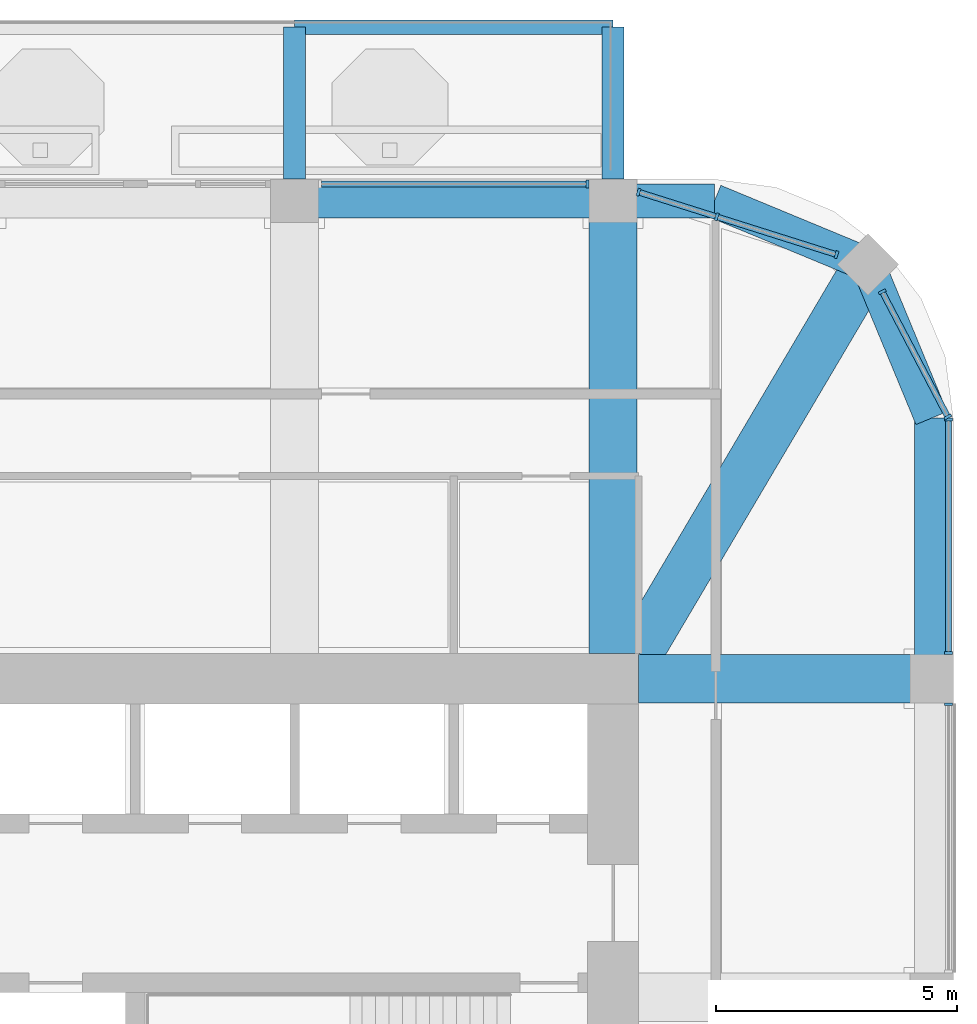
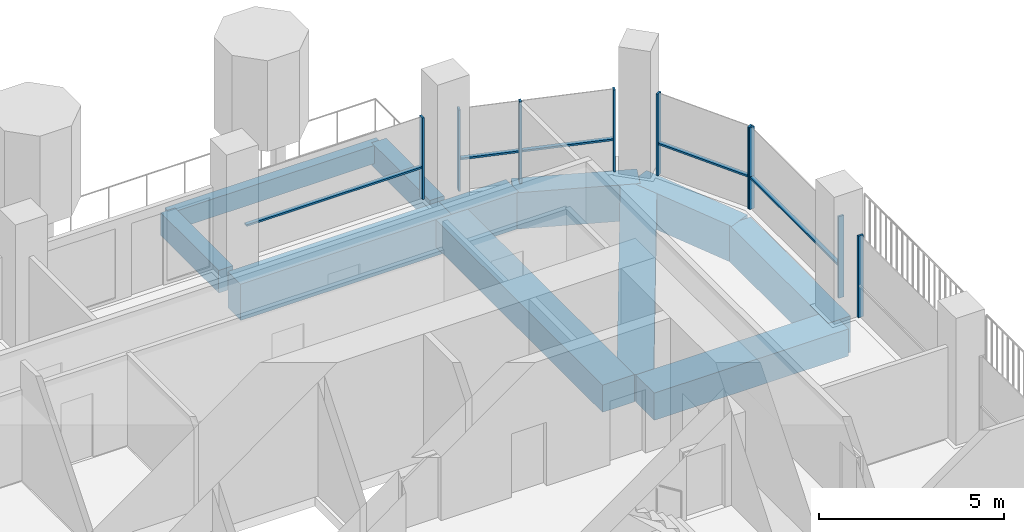
# One storey, part 7 of 21: 14 members, 11 beams, 5 elements without a shape of their own.
"""IFC4 building model written with IfcOpenShell, lengths in metres."""

from ifc_helpers import new_model, si_unit, direction, frame, origin, origin_2d, place, context, subcontext, project, spatial, rectangle, extrude, material, material_profile, profile_set, type_object, element, aggregate, save


model = new_model("IFC4")

# Units and contexts
model_context = context("Model", 3, precision=1e-05, world=origin(), true_north=direction((0.0, 1.0)))
body_context = subcontext(model_context, "Body", "Model", "MODEL_VIEW")
ifc_project = project(units=[si_unit("LENGTHUNIT", "METRE"), si_unit("AREAUNIT", "SQUARE_METRE"), si_unit("VOLUMEUNIT", "CUBIC_METRE"), si_unit("PLANEANGLEUNIT", "RADIAN"), si_unit("MASSUNIT", "GRAM", prefix="KILO")], contexts=[model_context])

# Site, building, storey
site_placement = place(None, origin())
site = spatial("IfcSite", under=ifc_project, at=site_placement, CompositionType="ELEMENT")
building_placement = place(site_placement, origin())
building = spatial("IfcBuilding", under=site, at=building_placement, Name="Cobogo Forest Laboratory Tower", CompositionType="ELEMENT")
storey_placement = place(building_placement, frame((0.0, 0.0, 267.0)))
storey = spatial("IfcBuildingStorey", under=building, at=storey_placement, Name="L61", CompositionType="ELEMENT", Elevation=267.0)

# Beams
ifc_material_1 = material(Name="Concrete HA-40 (C40/50)", Category="concrete")
ifc_material_profile_1 = material_profile(ifc_material_1, rectangle(XDim=0.449951171875, YDim=0.75, at=origin_2d()), Name="RC 450x750")
ifc_profile_set_1 = profile_set([ifc_material_profile_1], Name="Concrete HA-40 (C40/50)")
beam_type_1 = type_object("IfcBeamType", Name="Balcony cantilever beam 450x750", PredefinedType="BEAM", material=ifc_profile_set_1)
for number, where, z_axis, x_axis, name in (
    (1, (33.0, 43.35009765625, -0.625), (0.0, 1.0, 0.0), (-1.0, 0.0, 0.0), "CB1 BAL-N1-C2 L61"),
    (2, (39.60009765625, 43.35009765625, -0.625), (0.0, 1.0, 0.0), (-1.0, 0.0, 0.0), "CB1 BAL-N1-C3 L61"),
):
    element("IfcBeam", number, at=place(storey_placement, frame(where, z_axis=z_axis, x_axis=x_axis)), inside=storey, type_object=beam_type_1, Name=name, PredefinedType="BEAM", context=body_context, shape_type="SweptSolid", body=[
        extrude(rectangle(XDim=0.449951171875, YDim=0.75, at=origin_2d()), origin(), (0.0, 0.0, 1.0), 3.14990234375),
    ])
ifc_material_profile_2 = material_profile(ifc_material_1, rectangle(XDim=0.300048828125, YDim=0.60009765625, at=origin_2d()), Name="RC 300x600")
ifc_profile_set_2 = profile_set([ifc_material_profile_2], Name="Concrete HA-40 (C40/50)")
beam_type_2 = type_object("IfcBeamType", Name="Balcony edge beam 300x600", PredefinedType="BEAM", material=ifc_profile_set_2)
beam_1_placement = place(storey_placement, frame((33.0, 46.5, -0.550048828125), z_axis=(1.0, 0.0, 0.0), x_axis=(0.0, 1.0, 0.0)))
element("IfcBeam", 3, at=beam_1_placement, inside=storey, type_object=beam_type_2, Name="BB1 BAL-N1-T2 L61", PredefinedType="BEAM", context=body_context, shape_type="SweptSolid", body=[
    extrude(rectangle(XDim=0.300048828125, YDim=0.60009765625, at=origin_2d()), origin(), (0.0, 0.0, 1.0), 6.60009765625),
])

# Curtain wall, member
ifc_material_2 = material(Name="Aluminium curtain wall", Category="aluminium")
curtain_wall_type = type_object("IfcCurtainWallType", Name="CW-2 unitised curtain wall, solar control glazing, laboratory floors zones C and D", PredefinedType="USERDEFINED", material=ifc_material_2)
curtain_wall_1_placement = place(storey_placement, origin())
curtain_wall_1 = element("IfcCurtainWall", 4, at=curtain_wall_1_placement, inside=storey, type_object=curtain_wall_type, Name="Curtain wall 10 L61", ObjectType="UNITISED CURTAIN WALL", PredefinedType="USERDEFINED")
ifc_material_3 = material(Name="Aluminium mullion", Category="aluminium")
ifc_material_profile_3 = material_profile(ifc_material_3, rectangle(XDim=0.06005859375, YDim=0.159912109375, at=origin_2d()), Name="AL 60x160")
ifc_profile_set_3 = profile_set([ifc_material_profile_3], Name="Aluminium mullion")
member_type_1 = type_object("IfcMemberType", Name="MU-1 aluminium mullion 60x160", PredefinedType="MULLION", material=ifc_profile_set_3)
member_1_placement = place(storey_placement, frame((46.550048828125, 32.469970703125, 0.0), z_axis=(0.0, 0.0, 1.0), x_axis=(0.0, 1.0, 0.0)))
member_1 = element("IfcMember", 5, at=member_1_placement, type_object=member_type_1, Name="CW-2 mullion 2", PredefinedType="MULLION", context=body_context, shape_type="SweptSolid", body=[
    extrude(rectangle(XDim=0.06005859375, YDim=0.159912109375, at=origin_2d()), origin(), (0.0, 0.0, 1.0), 2.699951171875),
])
aggregate(curtain_wall_1, [member_1])

# Curtain wall, members
curtain_wall_2_placement = place(storey_placement, origin())
curtain_wall_2 = element("IfcCurtainWall", 6, at=curtain_wall_2_placement, inside=storey, type_object=curtain_wall_type, Name="Curtain wall 11 L61", ObjectType="UNITISED CURTAIN WALL", PredefinedType="USERDEFINED")
member_2_placement = place(storey_placement, frame((46.550048828125, 33.530029296875, 0.0), z_axis=(0.0, 0.0, 1.0), x_axis=(0.0, 1.0, 0.0)))
member_2 = element("IfcMember", 7, at=member_2_placement, type_object=member_type_1, Name="CW-2 mullion 1", PredefinedType="MULLION", context=body_context, shape_type="SweptSolid", body=[
    extrude(rectangle(XDim=0.06005859375, YDim=0.159912109375, at=origin_2d()), origin(), (0.0, 0.0, 1.0), 2.699951171875),
])
member_3_placement = place(storey_placement, frame((46.550048828125, 38.3701171875, 0.0), z_axis=(0.0, 0.0, 1.0), x_axis=(0.0, 1.0, 0.0)))
member_3 = element("IfcMember", 8, at=member_3_placement, type_object=member_type_1, Name="CW-2 mullion 2", PredefinedType="MULLION", context=body_context, shape_type="SweptSolid", body=[
    extrude(rectangle(XDim=0.06005859375, YDim=0.159912109375, at=origin_2d()), origin(), (0.0, 0.0, 1.0), 2.699951171875),
])

curtain_wall_3_placement = place(storey_placement, origin())
curtain_wall_3 = element("IfcCurtainWall", 9, at=curtain_wall_3_placement, inside=storey, type_object=curtain_wall_type, Name="Curtain wall 12 L61", ObjectType="UNITISED CURTAIN WALL", PredefinedType="USERDEFINED")
member_4_placement = place(storey_placement, frame((46.5361328125, 38.426513671875, 0.0), z_axis=(0.0, 0.0, 1.0), x_axis=(-0.464283778337, 0.885686498245, 0.0)))
member_4 = element("IfcMember", 10, at=member_4_placement, type_object=member_type_1, Name="CW-2 mullion 1", PredefinedType="MULLION", context=body_context, shape_type="SweptSolid", body=[
    extrude(rectangle(XDim=0.06005859375, YDim=0.159912109375, at=origin_2d()), origin(), (0.0, 0.0, 1.0), 2.699951171875),
])
member_5_placement = place(storey_placement, frame((45.177978515625, 41.017333984375, 0.0), z_axis=(0.0, 0.0, 1.0), x_axis=(-0.464283778337, 0.885686498245, 0.0)))
member_5 = element("IfcMember", 11, at=member_5_placement, type_object=member_type_1, Name="CW-2 mullion 2", PredefinedType="MULLION", context=body_context, shape_type="SweptSolid", body=[
    extrude(rectangle(XDim=0.06005859375, YDim=0.159912109375, at=origin_2d()), origin(), (0.0, 0.0, 1.0), 2.699951171875),
])

curtain_wall_4_placement = place(storey_placement, origin())
curtain_wall_4 = element("IfcCurtainWall", 12, at=curtain_wall_4_placement, inside=storey, type_object=curtain_wall_type, Name="Curtain wall 13 L61", ObjectType="UNITISED CURTAIN WALL", PredefinedType="USERDEFINED")
member_6_placement = place(storey_placement, frame((44.22998046875, 41.787841796875, 0.0), z_axis=(0.0, 0.0, 1.0), x_axis=(-0.953581379409, 0.301135439371, 0.0)))
member_6 = element("IfcMember", 13, at=member_6_placement, type_object=member_type_1, Name="CW-2 mullion 1", PredefinedType="MULLION", context=body_context, shape_type="SweptSolid", body=[
    extrude(rectangle(XDim=0.06005859375, YDim=0.159912109375, at=origin_2d()), origin(), (0.0, 0.0, 1.0), 2.699951171875),
])
member_7_placement = place(storey_placement, frame((41.7490234375, 42.5712890625, 0.0), z_axis=(0.0, 0.0, 1.0), x_axis=(-0.953581379409, 0.301135439371, 0.0)))
member_7 = element("IfcMember", 14, at=member_7_placement, type_object=member_type_1, Name="CW-2 mullion 2", PredefinedType="MULLION", context=body_context, shape_type="SweptSolid", body=[
    extrude(rectangle(XDim=0.06005859375, YDim=0.159912109375, at=origin_2d()), origin(), (0.0, 0.0, 1.0), 2.699951171875),
])
member_8_placement = place(storey_placement, frame((40.128662109375, 43.0830078125, 0.0), z_axis=(0.0, 0.0, 1.0), x_axis=(-0.953581379409, 0.301135439371, 0.0)))
member_8 = element("IfcMember", 15, at=member_8_placement, type_object=member_type_1, Name="CW-2 mullion 3", PredefinedType="MULLION", context=body_context, shape_type="SweptSolid", body=[
    extrude(rectangle(XDim=0.06005859375, YDim=0.159912109375, at=origin_2d()), origin(), (0.0, 0.0, 1.0), 2.699951171875),
])

# Curtain wall, member
curtain_wall_5_placement = place(storey_placement, origin())
curtain_wall_5 = element("IfcCurtainWall", 16, at=curtain_wall_5_placement, inside=storey, type_object=curtain_wall_type, Name="Curtain wall 14 L61", ObjectType="UNITISED CURTAIN WALL", PredefinedType="USERDEFINED")
member_9_placement = place(storey_placement, frame((39.070068359375, 43.25, 0.0), z_axis=(0.0, 0.0, 1.0), x_axis=(-1.0, 0.0, 0.0)))
member_9 = element("IfcMember", 17, at=member_9_placement, type_object=member_type_1, Name="CW-2 mullion 1", PredefinedType="MULLION", context=body_context, shape_type="SweptSolid", body=[
    extrude(rectangle(XDim=0.06005859375, YDim=0.159912109375, at=origin_2d()), origin(), (0.0, 0.0, 1.0), 2.699951171875),
])

# Beams
ifc_material_profile_4 = material_profile(ifc_material_1, rectangle(XDim=1.0, YDim=0.89990234375, at=origin_2d()), Name="RC 1000x900")
ifc_profile_set_4 = profile_set([ifc_material_profile_4], Name="Concrete HA-40 (C40/50)")
beam_type_3 = type_object("IfcBeamType", Name="Office floor wide beam 1000x900", PredefinedType="BEAM", material=ifc_profile_set_4)
beam_2_placement = place(storey_placement, frame((39.60009765625, 33.52490234375, -0.75), z_axis=(0.0, 1.0, 0.0), x_axis=(-1.0, 0.0, 0.0)))
element("IfcBeam", 18, at=beam_2_placement, inside=storey, type_object=beam_type_3, Name="RB2 R-7-N L61", PredefinedType="BEAM", context=body_context, shape_type="SweptSolid", body=[
    extrude(rectangle(XDim=1.0, YDim=0.89990234375, at=origin_2d()), origin(), (0.0, 0.0, 1.0), 9.375),
])
beam_3_placement = place(storey_placement, frame((40.125, 33.0, -0.75), z_axis=(1.0, 0.0, 0.0), x_axis=(0.0, 1.0, 0.0)))
element("IfcBeam", 19, at=beam_3_placement, inside=storey, type_object=beam_type_3, Name="RB2 R-F-E L61", PredefinedType="BEAM", context=body_context, shape_type="SweptSolid", body=[
    extrude(rectangle(XDim=1.0, YDim=0.89990234375, at=origin_2d()), origin(), (0.0, 0.0, 1.0), 6.074951171875),
])
beam_4_placement = place(storey_placement, frame((44.882080078125, 41.58203125, -0.75), z_axis=(-0.508416325908, -0.861111397875, 0.0), x_axis=(0.861111397875, -0.508416325908, 0.0)))
element("IfcBeam", 20, at=beam_4_placement, inside=storey, type_object=beam_type_3, Name="RB2 G-NE-D1 L61", PredefinedType="BEAM", context=body_context, shape_type="SweptSolid", body=[
    extrude(rectangle(XDim=1.0, YDim=0.89990234375, at=origin_2d()), origin(), (0.0, 0.0, 1.0), 9.356689453125),
])
ifc_material_profile_5 = material_profile(ifc_material_1, rectangle(XDim=0.699951171875, YDim=1.199951171875, at=origin_2d()), Name="RC 700x1200")
ifc_profile_set_5 = profile_set([ifc_material_profile_5], Name="Concrete HA-40 (C40/50)")
beam_type_4 = type_object("IfcBeamType", Name="Perimeter edge beam 700x1200", PredefinedType="BEAM", material=ifc_profile_set_5)
beam_5_placement = place(storey_placement, frame((33.0, 42.89990234375, -0.89990234375), z_axis=(1.0, 0.0, 0.0), x_axis=(0.0, 1.0, 0.0)))
element("IfcBeam", 21, at=beam_5_placement, inside=storey, type_object=beam_type_4, Name="EB1 E-N4 L61", PredefinedType="BEAM", context=body_context, shape_type="SweptSolid", body=[
    extrude(rectangle(XDim=0.699951171875, YDim=1.199951171875, at=origin_2d()), origin(), (0.0, 0.0, 1.0), 6.60009765625),
])
beam_6_placement = place(storey_placement, frame((46.199951171875, 33.0, -0.89990234375), z_axis=(0.0, 1.0, 0.0), x_axis=(-1.0, 0.0, 0.0)))
element("IfcBeam", 22, at=beam_6_placement, inside=storey, type_object=beam_type_4, Name="EB1 E-NEE1 L61", PredefinedType="BEAM", context=body_context, shape_type="SweptSolid", body=[
    extrude(rectangle(XDim=0.699951171875, YDim=1.199951171875, at=origin_2d()), origin(), (0.0, 0.0, 1.0), 5.39990234375),
])
beam_7_placement = place(storey_placement, frame((46.199951171875, 38.39990234375, -0.89990234375), z_axis=(-0.382631424892, 0.923901072997, 0.0), x_axis=(-0.923901072997, -0.382631424892, 0.0)))
element("IfcBeam", 23, at=beam_7_placement, inside=storey, type_object=beam_type_4, Name="EB1 E-NEE2 L61", PredefinedType="BEAM", context=body_context, shape_type="SweptSolid", body=[
    extrude(rectangle(XDim=0.699951171875, YDim=1.199951171875, at=origin_2d()), origin(), (0.0, 0.0, 1.0), 3.4443359375),
])
beam_8_placement = place(storey_placement, frame((39.60009765625, 42.89990234375, -0.89990234375), z_axis=(1.0, 0.0, 0.0), x_axis=(0.0, 1.0, 0.0)))
element("IfcBeam", 24, at=beam_8_placement, inside=storey, type_object=beam_type_4, Name="EB1 E-NEN1 L61", PredefinedType="BEAM", context=body_context, shape_type="SweptSolid", body=[
    extrude(rectangle(XDim=0.699951171875, YDim=1.199951171875, at=origin_2d()), origin(), (0.0, 0.0, 1.0), 2.099853515625),
])
beam_9_placement = place(storey_placement, frame((41.699951171875, 42.89990234375, -0.89990234375), z_axis=(0.923901072997, -0.382631424892, 0.0), x_axis=(0.382631424892, 0.923901072997, 0.0)))
element("IfcBeam", 25, at=beam_9_placement, inside=storey, type_object=beam_type_4, Name="EB1 E-NEN2 L61", PredefinedType="BEAM", context=body_context, shape_type="SweptSolid", body=[
    extrude(rectangle(XDim=0.699951171875, YDim=1.199951171875, at=origin_2d()), origin(), (0.0, 0.0, 1.0), 3.4443359375),
])

# Member
ifc_material_4 = material(Name="Aluminium transom", Category="aluminium")
ifc_material_profile_6 = material_profile(ifc_material_4, rectangle(XDim=0.1201171875, YDim=0.06005859375, at=origin_2d()), Name="AL 60x120")
ifc_profile_set_6 = profile_set([ifc_material_profile_6], Name="Aluminium transom")
member_type_2 = type_object("IfcMemberType", Name="TR-1 aluminium transom 60x120", PredefinedType="USERDEFINED", material=ifc_profile_set_6)
member_10_placement = place(storey_placement, frame((46.550048828125, 33.56005859375, 1.050048828125), z_axis=(0.0, 1.0, 0.0), x_axis=(-1.0, 0.0, 0.0)))
member_10 = element("IfcMember", 26, at=member_10_placement, type_object=member_type_2, Name="CW-2 transom 1.1", ObjectType="TRANSOM", PredefinedType="USERDEFINED", context=body_context, shape_type="SweptSolid", body=[
    extrude(rectangle(XDim=0.1201171875, YDim=0.06005859375, at=origin_2d()), origin(), (0.0, 0.0, 1.0), 4.780029296875),
])

aggregate(curtain_wall_2, [member_2, member_3, member_10])

member_11_placement = place(storey_placement, frame((46.522216796875, 38.453125, 1.050048828125), z_axis=(-0.46430944806, 0.885673041501, 0.0), x_axis=(-0.885673041501, -0.46430944806, 0.0)))
member_11 = element("IfcMember", 27, at=member_11_placement, type_object=member_type_2, Name="CW-2 transom 1.1", ObjectType="TRANSOM", PredefinedType="USERDEFINED", context=body_context, shape_type="SweptSolid", body=[
    extrude(rectangle(XDim=0.1201171875, YDim=0.06005859375, at=origin_2d()), origin(), (0.0, 0.0, 1.0), 2.865234375),
])

aggregate(curtain_wall_3, [member_4, member_5, member_11])

member_12_placement = place(storey_placement, frame((44.201416015625, 41.796875, 1.050048828125), z_axis=(-0.953587019958, 0.301117577314, 0.0), x_axis=(-0.301117577314, -0.953587019958, 0.0)))
member_12 = element("IfcMember", 28, at=member_12_placement, type_object=member_type_2, Name="CW-2 transom 1.1", ObjectType="TRANSOM", PredefinedType="USERDEFINED", context=body_context, shape_type="SweptSolid", body=[
    extrude(rectangle(XDim=0.1201171875, YDim=0.06005859375, at=origin_2d()), origin(), (0.0, 0.0, 1.0), 2.541748046875),
])

member_13_placement = place(storey_placement, frame((41.720458984375, 42.580322265625, 1.050048828125), z_axis=(-0.953582665134, 0.301131367937, 0.0), x_axis=(-0.301131367937, -0.953582665134, 0.0)))
member_13 = element("IfcMember", 29, at=member_13_placement, type_object=member_type_2, Name="CW-2 transom 2.1", ObjectType="TRANSOM", PredefinedType="USERDEFINED", context=body_context, shape_type="SweptSolid", body=[
    extrude(rectangle(XDim=0.1201171875, YDim=0.06005859375, at=origin_2d()), origin(), (0.0, 0.0, 1.0), 1.639404296875),
])

aggregate(curtain_wall_4, [member_6, member_7, member_8, member_12, member_13])

member_14_placement = place(storey_placement, frame((39.0400390625, 43.25, 1.050048828125), z_axis=(-1.0, 0.0, 0.0), x_axis=(0.0, -1.0, 0.0)))
member_14 = element("IfcMember", 30, at=member_14_placement, type_object=member_type_2, Name="CW-2 transom 1.1", ObjectType="TRANSOM", PredefinedType="USERDEFINED", context=body_context, shape_type="SweptSolid", body=[
    extrude(rectangle(XDim=0.1201171875, YDim=0.06005859375, at=origin_2d()), origin(), (0.0, 0.0, 1.0), 5.47998046875),
])

aggregate(curtain_wall_5, [member_9, member_14])

save(model, "model.ifc")
